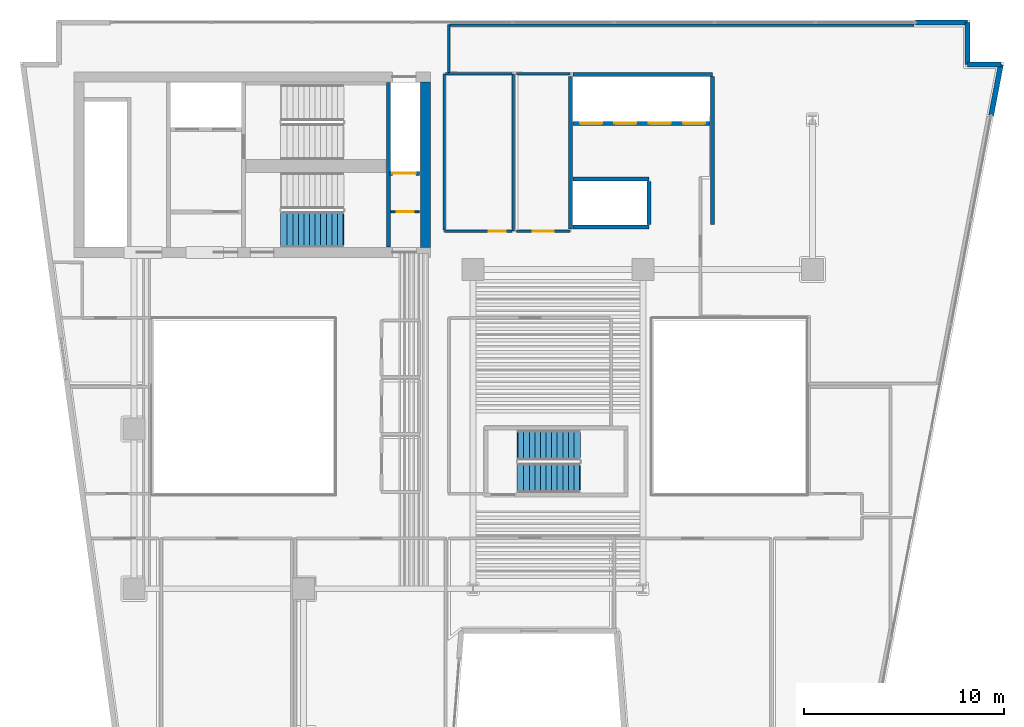
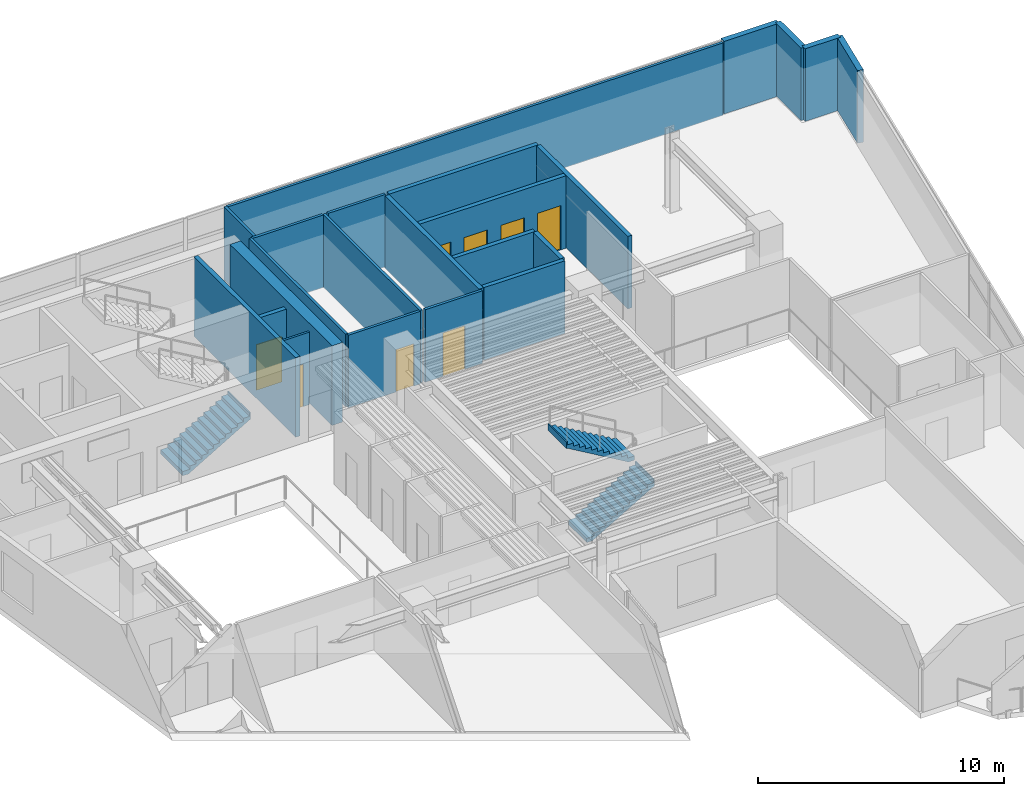
# One storey, part 9 of 14: 23 walls, 8 doors, 3 stair flights, 8 openings, 2 elements without a shape of their own.
"""IFC4 building model written with IfcOpenShell, lengths in metres."""

import ifcopenshell
import ifcopenshell.guid

model = None  # the IFC model being written
_history = None  # IfcOwnerHistory: only IFC2X3 demands one
_inside = {}  # id of a spatial element -> (the spatial element, [elements in it])
_under = {}  # id of a project, library or spatial element -> (it, [spatial elements below it])
_declared = {}  # id of a project -> (the project, [libraries it declares])
_typed = {}  # id of a type object -> (the type object, [elements of that type])
_made_of = {}  # id of a material, layer set ... -> (it, [elements and type objects made of it])


def new_model(schema):
    """Start an empty IFC model of exactly this schema.

    Asked for "IFC4X3", IfcOpenShell would pick the latest addendum, in which some entities
    have other attributes; the version numbers below select the first issue.
    IFC2X3 requires an IfcOwnerHistory on every rooted entity: one is made here for all.
    """
    global model, _history
    if schema == "IFC4X3":
        model = ifcopenshell.file(schema_version=(4, 3, 0, 0))
    else:
        model = ifcopenshell.file(schema=schema)
    _inside.clear()
    _under.clear()
    _declared.clear()
    _typed.clear()
    _made_of.clear()
    _history = None
    if model.schema == "IFC2X3":
        org = make("IfcOrganization", Name="unknown")
        user = make(
            "IfcPersonAndOrganization",
            ThePerson=make("IfcPerson", FamilyName="unknown"),
            TheOrganization=org,
        )
        app = make(
            "IfcApplication",
            ApplicationDeveloper=org,
            Version="unknown",
            ApplicationFullName="unknown",
            ApplicationIdentifier="unknown",
        )
        _history = make(
            "IfcOwnerHistory",
            OwningUser=user,
            OwningApplication=app,
            ChangeAction="ADDED",
            CreationDate=0,
        )
    return model


def make(cls, **values):
    """One entity of the class cls with the attributes given. An attribute that is None is left unset."""
    return model.create_entity(
        cls, **{name: value for name, value in values.items() if value is not None}
    )


def rooted(cls, **values):
    """An entity with a GlobalId (a new one), such as an element, a storey or a relation."""
    return make(cls, GlobalId=ifcopenshell.guid.new(), OwnerHistory=_history, **values)


def si_unit(unit_type, name, prefix=None):
    """IfcSIUnit, for example si_unit("LENGTHUNIT", "METRE", prefix="MILLI")."""
    return make("IfcSIUnit", UnitType=unit_type, Prefix=prefix, Name=name)


def assignment(units):
    """IfcUnitAssignment: the units of a project."""
    return None if units is None else make("IfcUnitAssignment", Units=units)


def point(xyz):
    """IfcCartesianPoint."""
    return None if xyz is None else make("IfcCartesianPoint", Coordinates=xyz)


def direction(xyz):
    """IfcDirection."""
    return None if xyz is None else make("IfcDirection", DirectionRatios=xyz)


def frame(location, z_axis=None, x_axis=None):
    """IfcAxis2Placement3D, a coordinate frame: its origin and axes. An axis left out is left unset."""
    return make(
        "IfcAxis2Placement3D",
        Location=point(location),
        Axis=direction(z_axis),
        RefDirection=direction(x_axis),
    )


def frame_2d(location, x_axis=None):
    """IfcAxis2Placement2D, a coordinate frame in the plane: its origin and x axis."""
    return make(
        "IfcAxis2Placement2D", Location=point(location), RefDirection=direction(x_axis)
    )


def origin():
    """The frame at (0, 0, 0) with its axes left unset."""
    return frame((0.0, 0.0, 0.0))


def place(relative_to, where):
    """IfcLocalPlacement: puts the frame where relative to a parent placement (None: the world)."""
    return make(
        "IfcLocalPlacement", PlacementRelTo=relative_to, RelativePlacement=where
    )


def context(
    kind, dimensions, precision=None, world=None, true_north=None, identifier=None
):
    """IfcGeometricRepresentationContext, for example the 3D "Model" context."""
    return make(
        "IfcGeometricRepresentationContext",
        ContextIdentifier=identifier,
        ContextType=kind,
        CoordinateSpaceDimension=dimensions,
        Precision=precision,
        WorldCoordinateSystem=world,
        TrueNorth=true_north,
    )


def subcontext(parent, identifier, kind, view, scale=None):
    """IfcGeometricRepresentationSubContext, for example "Body" below "Model"."""
    return make(
        "IfcGeometricRepresentationSubContext",
        ContextIdentifier=identifier,
        ContextType=kind,
        ParentContext=parent,
        TargetScale=scale,
        TargetView=view,
    )


def project(units=None, contexts=None):
    """IfcProject with its units and contexts."""
    return rooted(
        "IfcProject",
        Name="project",
        RepresentationContexts=contexts,
        UnitsInContext=assignment(units),
    )


def spatial(cls, under=None, at=None, **own):
    """A site, building, storey or space (cls), placed at a placement, below another one or the project."""
    s = rooted(cls, ObjectPlacement=at, **own)
    if under is not None:
        _under.setdefault(under.id(), (under, []))[1].append(s)
    return s


def polyline(points):
    """IfcPolyline through the points."""
    return make("IfcPolyline", Points=[point(p) for p in points])


def profile(cls, at=None, kind="AREA", **sizes):
    """A parametric profile (cls). Its sizes go by their IFC names, for example OverallWidth=200.0."""
    return make(cls, ProfileType=kind, Position=at, **sizes)


def rectangle(**sizes):
    """IfcRectangleProfileDef."""
    return profile("IfcRectangleProfileDef", **sizes)


def outline(outer, holes=None, kind="AREA"):
    """IfcArbitraryClosedProfileDef: a profile drawn as a closed curve; with holes, ...WithVoids."""
    if holes is None:
        return make("IfcArbitraryClosedProfileDef", ProfileType=kind, OuterCurve=outer)
    return make(
        "IfcArbitraryProfileDefWithVoids",
        ProfileType=kind,
        OuterCurve=outer,
        InnerCurves=holes,
    )


def extrude(swept, where, along, depth):
    """IfcExtrudedAreaSolid: the profile swept, set in the frame where, extruded along a direction by depth."""
    return make(
        "IfcExtrudedAreaSolid",
        SweptArea=swept,
        Position=where,
        ExtrudedDirection=direction(along),
        Depth=depth,
    )


def shape(context_of_items, identifier, shape_type, items):
    """IfcShapeRepresentation: the items that make up one representation, for example the "Body"."""
    return make(
        "IfcShapeRepresentation",
        ContextOfItems=context_of_items,
        RepresentationIdentifier=identifier,
        RepresentationType=shape_type,
        Items=items,
    )


def material(Name=None, Category=None):
    """IfcMaterial."""
    return make("IfcMaterial", Name=Name, Category=Category)


def layer(
    of_material, thickness, ventilated=None, Name=None, Category=None, Priority=None
):
    """IfcMaterialLayer: one layer of a wall or slab, of a material (None: an air gap)."""
    return make(
        "IfcMaterialLayer",
        Material=of_material,
        LayerThickness=thickness,
        IsVentilated=ventilated,
        Name=Name,
        Category=Category,
        Priority=Priority,
    )


def layer_set(layers, Name=None):
    """IfcMaterialLayerSet."""
    return make("IfcMaterialLayerSet", MaterialLayers=layers, LayerSetName=Name)


def made_of(thing, what):
    """Note that an element or type object is made of a material, layer set ...; save() writes the relation."""
    if what is not None:
        _made_of.setdefault(what.id(), (what, []))[1].append(thing)
    return thing


def type_object(cls, material=None, **own):
    """A type object (cls), such as IfcWallType, which elements share."""
    return made_of(rooted(cls, **own), material)


def element(
    cls,
    number,
    at=None,
    inside=None,
    cuts=None,
    type_object=None,
    material=None,
    context=None,
    identifier="Body",
    shape_type=None,
    held_by="IfcProductDefinitionShape",
    body=None,
    shapes=None,
    **own,
):
    """One element of the class cls, such as IfcWall. Its Tag is "e" and its number.

    at: its placement. inside: the storey or other place that contains it. cuts: it is an
    opening in that element (IfcRelVoidsElement). A single representation is given by context,
    identifier, shape_type and body (its items); several are given by shapes. held_by: the class
    of the entity that holds the representations. save() writes the other relations.
    """
    e = rooted(cls, Tag="e%d" % number, ObjectPlacement=at, **own)
    if body is not None:
        shapes = [shape(context, identifier, shape_type, body)]
    if shapes is not None:
        e.Representation = make(held_by, Representations=shapes)
    if inside is not None:
        _inside.setdefault(inside.id(), (inside, []))[1].append(e)
    if cuts is not None:
        rooted(
            "IfcRelVoidsElement", RelatingBuildingElement=cuts, RelatedOpeningElement=e
        )
    if type_object is not None:
        _typed.setdefault(type_object.id(), (type_object, []))[1].append(e)
    return made_of(e, material)


def fill(opening, filler):
    """IfcRelFillsElement: the door or window that sits in an opening."""
    return rooted(
        "IfcRelFillsElement",
        RelatingOpeningElement=opening,
        RelatedBuildingElement=filler,
    )


def aggregate(whole, parts):
    """IfcRelAggregates: a whole, such as a stair, and the parts it consists of."""
    return rooted("IfcRelAggregates", RelatingObject=whole, RelatedObjects=parts)


def save(model, path):
    """Write the relations noted so far, then the file.

    IfcRelAggregates (storeys below a building ...), IfcRelContainedInSpatialStructure (elements
    in a storey), IfcRelDefinesByType, IfcRelAssociatesMaterial and IfcRelDeclares: one each for
    every whole, place, type object, material and project.
    """
    for whole, parts in _under.values():
        aggregate(whole, parts)
    for where, things in _inside.values():
        rooted(
            "IfcRelContainedInSpatialStructure",
            RelatedElements=things,
            RelatingStructure=where,
        )
    for kind, things in _typed.values():
        rooted("IfcRelDefinesByType", RelatedObjects=things, RelatingType=kind)
    for what, things in _made_of.values():
        rooted("IfcRelAssociatesMaterial", RelatedObjects=things, RelatingMaterial=what)
    for by, libraries in _declared.values():
        rooted("IfcRelDeclares", RelatingContext=by, RelatedDefinitions=libraries)
    model.write(path)


model = new_model("IFC4")

# Units and contexts
model_context = context("Model", 3, precision=1e-05, world=origin(), true_north=direction((0.0, 1.0)))
body_context = subcontext(model_context, "Body", "Model", "MODEL_VIEW")
ifc_project = project(units=[si_unit("LENGTHUNIT", "METRE"), si_unit("AREAUNIT", "SQUARE_METRE"), si_unit("VOLUMEUNIT", "CUBIC_METRE"), si_unit("PLANEANGLEUNIT", "RADIAN"), si_unit("MASSUNIT", "GRAM", prefix="KILO")], contexts=[model_context])

# Site, building, storey
site_placement = place(None, origin())
site = spatial("IfcSite", under=ifc_project, at=site_placement, CompositionType="ELEMENT")
building_placement = place(site_placement, origin())
building = spatial("IfcBuilding", under=site, at=building_placement, Name="Caeloran Harvest Quay", CompositionType="ELEMENT")
storey_placement = place(building_placement, frame((0.0, 0.0, 174.60009765625)))
storey = spatial("IfcBuildingStorey", under=building, at=storey_placement, Name="L41", CompositionType="ELEMENT", Elevation=174.60009765625)

# Walls
ifc_material_1 = material(Name="Precast concrete C50/60", Category="concrete")
ifc_layer_1 = layer(ifc_material_1, 0.260009765625, Name="Precast concrete C50/60")
ifc_layer_set_1 = layer_set([ifc_layer_1], Name="Precast concrete C50/60")
wall_type_1 = type_object("IfcWallType", Name="ENV-WALL-EW-260", PredefinedType="STANDARD", material=ifc_layer_set_1)
wall_1_placement = place(storey_placement, frame((47.669921875, 43.3701171875, 0.0), z_axis=(0.0, 0.0, 1.0), x_axis=(1.0, 0.0, 0.0)))
element("IfcWall", 1, at=wall_1_placement, inside=storey, type_object=wall_type_1, Name="L41 Exterior Facade Corner Pier Wall 6B", PredefinedType="STANDARD", context=body_context, shape_type="SweptSolid", body=[
    extrude(rectangle(XDim=2.60009765625, YDim=0.260009765625, at=frame_2d((1.300048828125, 0.0))), origin(), (0.0, 0.0, 1.0), 3.599853515625),
])
wall_2_placement = place(storey_placement, frame((50.27001953125, 43.3701171875, 0.0), z_axis=(0.0, 0.0, 1.0), x_axis=(0.0, -1.0, 0.0)))
element("IfcWall", 2, at=wall_2_placement, inside=storey, type_object=wall_type_1, Name="L41 Exterior Precast Concrete Facade Wall 7", PredefinedType="STANDARD", context=body_context, shape_type="SweptSolid", body=[
    extrude(rectangle(XDim=2.10009765625, YDim=0.260009765625, at=frame_2d((1.050048828125, 0.0))), origin(), (0.0, 0.0, 1.0), 3.599853515625),
])
wall_3_placement = place(storey_placement, frame((50.27001953125, 41.27001953125, 0.0), z_axis=(0.0, 0.0, 1.0), x_axis=(1.0, 0.0, 0.0)))
element("IfcWall", 3, at=wall_3_placement, inside=storey, type_object=wall_type_1, Name="L41 Exterior Precast Concrete Facade Wall 8", PredefinedType="STANDARD", context=body_context, shape_type="SweptSolid", body=[
    extrude(rectangle(XDim=1.671875, YDim=0.260009765625, at=frame_2d((0.8359375, 0.0))), origin(), (0.0, 0.0, 1.0), 3.599853515625),
])
wall_4_placement = place(storey_placement, frame((51.94189453125, 41.27001953125, 0.0), z_axis=(0.0, 0.0, 1.0), x_axis=(-0.187621263149, -0.982241447718, 0.0)))
element("IfcWall", 4, at=wall_4_placement, inside=storey, type_object=wall_type_1, Name="L41 Exterior Facade Corner Pier Wall 9A", PredefinedType="STANDARD", context=body_context, shape_type="SweptSolid", body=[
    extrude(rectangle(XDim=2.599853515625, YDim=0.260009765625, at=frame_2d((1.2998046875, 0.0))), origin(), (0.0, 0.0, 1.0), 3.599853515625),
])

# Wall, opening, door
ifc_material_2 = material(Name="Fire-Resisting Gypsum Core Riser Partition", Category="gypsum")
ifc_layer_2 = layer(ifc_material_2, 0.10009765625, Name="Fire-Resisting Gypsum Core Riser Partition")
ifc_layer_set_2 = layer_set([ifc_layer_2], Name="Fire-Resisting Gypsum Core Riser Partition")
wall_type_2 = type_object("IfcWallType", Name="INT-WALL-PW-100", PredefinedType="PARTITIONING", material=ifc_layer_set_2)
wall_5_placement = place(storey_placement, frame((21.3798828125, 33.889892578125, 0.0), z_axis=(0.0, 0.0, 1.0), x_axis=(1.0, 0.0, 0.0)))
wall_5 = element("IfcWall", 5, at=wall_5_placement, inside=storey, type_object=wall_type_2, Name="L41 Cleaner Store Partition Wall", PredefinedType="PARTITIONING", context=body_context, shape_type="SweptSolid", body=[
    extrude(rectangle(XDim=1.420166015625, YDim=0.10009765625, at=frame_2d((0.7099609375, 0.0))), origin(), (0.0, 0.0, 1.0), 3.599853515625),
])
opening_1_placement = place(wall_5_placement, frame((0.280029296875, 0.0, 0.0)))
opening_1 = element("IfcOpeningElement", 6, at=opening_1_placement, cuts=wall_5, Name="Opening SV-01", PredefinedType="OPENING", context=body_context, shape_type="SweptSolid", body=[
    extrude(rectangle(XDim=0.85009765625, YDim=2.10009765625, at=frame_2d((0.425048828125, 1.050048828125))), frame((0.0, 0.06005859375, 0.0), z_axis=(0.0, -1.0, 0.0), x_axis=(1.0, 0.0, 0.0)), (0.0, 0.0, 1.0), 0.1201171875),
])
ifc_material_3 = material(Name="Galvanized Painted Steel", Category="steel")
door_type_1 = type_object("IfcDoorType", Name="INTDOOR-SV-01", OperationType="NOTDEFINED", PredefinedType="DOOR", material=ifc_material_3)
door_1_placement = place(opening_1_placement, origin())
door_1 = element("IfcDoor", 7, at=door_1_placement, inside=storey, type_object=door_type_1, Name="L41 Cleaner Supply Store Access Door", OperationType="SINGLE_SWING_RIGHT", OverallHeight=2.10009765625, OverallWidth=0.85009765625, PredefinedType="DOOR", context=body_context, shape_type="SweptSolid", body=[
    extrude(rectangle(XDim=0.85009765625, YDim=2.10009765625, at=frame_2d((0.425048828125, 1.050048828125))), frame((0.0, 0.02490234375, 0.0), z_axis=(0.0, -1.0, 0.0), x_axis=(1.0, 0.0, 0.0)), (0.0, 0.0, 1.0), 0.050048828125),
])
fill(opening_1, door_1)

# Wall
ifc_material_4 = material(Name="Twin-Stud Mineral-Wool Acoustic Gypsum Partition", Category="gypsum")
ifc_layer_3 = layer(ifc_material_4, 0.125, Name="Twin-Stud Mineral-Wool Acoustic Gypsum Partition")
ifc_layer_set_3 = layer_set([ifc_layer_3], Name="Twin-Stud Mineral-Wool Acoustic Gypsum Partition")
wall_type_3 = type_object("IfcWallType", Name="INT-WALL-PW-125", PredefinedType="PARTITIONING", material=ifc_layer_set_3)
wall_6_placement = place(storey_placement, frame((27.5, 40.800048828125, 0.0), z_axis=(0.0, 0.0, 1.0), x_axis=(0.0, -1.0, 0.0)))
element("IfcWall", 8, at=wall_6_placement, inside=storey, type_object=wall_type_3, Name="L41 Bioinformatics Briefing Lounge Partition Wall", PredefinedType="PARTITIONING", context=body_context, shape_type="SweptSolid", body=[
    extrude(rectangle(XDim=7.880126953125, YDim=0.125, at=frame_2d((3.93994140625, 0.0))), origin(), (0.0, 0.0, 1.0), 3.599853515625),
])

# Wall, opening, door
wall_7_placement = place(storey_placement, frame((27.4326171875, 32.919921875, 0.0), z_axis=(0.0, 0.0, 1.0), x_axis=(-1.0, 0.0, 0.0)))
wall_7 = element("IfcWall", 9, at=wall_7_placement, inside=storey, type_object=wall_type_3, Name="L41 Bioinformatics Briefing Lounge Partition Wall", PredefinedType="PARTITIONING", context=body_context, shape_type="SweptSolid", body=[
    extrude(rectangle(XDim=3.382568359375, YDim=0.125, at=frame_2d((1.69140625, 0.0))), origin(), (0.0, 0.0, 1.0), 3.599853515625),
])
opening_2_placement = place(wall_7_placement, frame((0.303466796875, 0.0, 0.0)))
opening_2 = element("IfcOpeningElement", 10, at=opening_2_placement, cuts=wall_7, Name="Opening SV-01", PredefinedType="OPENING", context=body_context, shape_type="SweptSolid", body=[
    extrude(rectangle(XDim=0.85009765625, YDim=2.10009765625, at=frame_2d((0.425048828125, 1.050048828125))), frame((0.0, 0.072509765625, 0.0), z_axis=(0.0, -1.0, 0.0), x_axis=(1.0, 0.0, 0.0)), (0.0, 0.0, 1.0), 0.14501953125),
])
door_2_placement = place(opening_2_placement, origin())
door_2 = element("IfcDoor", 11, at=door_2_placement, inside=storey, type_object=door_type_1, Name="L41 Bioinformatics Briefing Lounge Access Door", OperationType="SINGLE_SWING_LEFT", OverallHeight=2.10009765625, OverallWidth=0.85009765625, PredefinedType="DOOR", context=body_context, shape_type="SweptSolid", body=[
    extrude(rectangle(XDim=0.85009765625, YDim=2.10009765625, at=frame_2d((0.425048828125, 1.050048828125))), frame((0.0, 0.02490234375, 0.0), z_axis=(0.0, -1.0, 0.0), x_axis=(1.0, 0.0, 0.0)), (0.0, 0.0, 1.0), 0.050048828125),
])
fill(opening_2, door_2)

# Walls
wall_8_placement = place(storey_placement, frame((24.050048828125, 32.987548828125, 0.0), z_axis=(0.0, 0.0, 1.0), x_axis=(0.0, 1.0, 0.0)))
element("IfcWall", 12, at=wall_8_placement, inside=storey, type_object=wall_type_3, Name="L41 Bioinformatics Briefing Lounge Partition Wall", PredefinedType="PARTITIONING", context=body_context, shape_type="SweptSolid", body=[
    extrude(rectangle(XDim=7.8125, YDim=0.125, at=frame_2d((3.90625, 0.0))), origin(), (0.0, 0.0, 1.0), 3.599853515625),
])
wall_9_placement = place(storey_placement, frame((24.117431640625, 40.800048828125, 0.0), z_axis=(0.0, 0.0, 1.0), x_axis=(1.0, 0.0, 0.0)))
element("IfcWall", 13, at=wall_9_placement, inside=storey, type_object=wall_type_3, Name="L41 Bioinformatics Briefing Lounge Partition Wall", PredefinedType="PARTITIONING", context=body_context, shape_type="SweptSolid", body=[
    extrude(rectangle(XDim=3.315185546875, YDim=0.125, at=frame_2d((1.65771484375, 0.0))), origin(), (0.0, 0.0, 1.0), 3.599853515625),
])

# Wall, opening, door
wall_10_placement = place(storey_placement, frame((30.35009765625, 32.919921875, 0.0), z_axis=(0.0, 0.0, 1.0), x_axis=(-1.0, 0.0, 0.0)))
wall_10 = element("IfcWall", 14, at=wall_10_placement, inside=storey, type_object=wall_type_3, Name="L41 Seed Imaging Laboratory Partition Wall", PredefinedType="PARTITIONING", context=body_context, shape_type="SweptSolid", body=[
    extrude(rectangle(XDim=2.690185546875, YDim=0.125, at=frame_2d((1.34521484375, 0.0))), origin(), (0.0, 0.0, 1.0), 3.599853515625),
])
opening_3_placement = place(wall_10_placement, frame((0.820068359375, 0.0, 0.0)))
opening_3 = element("IfcOpeningElement", 15, at=opening_3_placement, cuts=wall_10, Name="Opening ID-03", PredefinedType="OPENING", context=body_context, shape_type="SweptSolid", body=[
    extrude(rectangle(XDim=1.050048828125, YDim=2.14990234375, at=frame_2d((0.52490234375, 1.074951171875))), frame((0.0, 0.072509765625, 0.0), z_axis=(0.0, -1.0, 0.0), x_axis=(1.0, 0.0, 0.0)), (0.0, 0.0, 1.0), 0.14501953125),
])
ifc_material_5 = material(Name="FSC Solid-Core Oak Timber Leaf", Category="wood")
door_type_2 = type_object("IfcDoorType", Name="INTDOOR-ID-03", OperationType="NOTDEFINED", PredefinedType="DOOR", material=ifc_material_5)
door_3_placement = place(opening_3_placement, origin())
door_3 = element("IfcDoor", 16, at=door_3_placement, inside=storey, type_object=door_type_2, Name="L41 Seed Imaging Laboratory Access Door", OperationType="SINGLE_SWING_RIGHT", OverallHeight=2.14990234375, OverallWidth=1.050048828125, PredefinedType="DOOR", context=body_context, shape_type="SweptSolid", body=[
    extrude(rectangle(XDim=1.050048828125, YDim=2.14990234375, at=frame_2d((0.52490234375, 1.074951171875))), frame((0.0, 0.02490234375, 0.0), z_axis=(0.0, -1.0, 0.0), x_axis=(1.0, 0.0, 0.0)), (0.0, 0.0, 1.0), 0.050048828125),
])
fill(opening_3, door_3)

# Walls
wall_11_placement = place(storey_placement, frame((27.659912109375, 40.800048828125, 0.0), z_axis=(0.0, 0.0, 1.0), x_axis=(1.0, 0.0, 0.0)))
element("IfcWall", 17, at=wall_11_placement, inside=storey, type_object=wall_type_3, Name="L41 Seed Imaging Laboratory Partition Wall", PredefinedType="PARTITIONING", context=body_context, shape_type="SweptSolid", body=[
    extrude(rectangle(XDim=2.690185546875, YDim=0.125, at=frame_2d((1.34521484375, 0.0))), origin(), (0.0, 0.0, 1.0), 3.599853515625),
])
wall_12_placement = place(storey_placement, frame((24.280029296875, 40.867431640625, 0.0), z_axis=(0.0, 0.0, 1.0), x_axis=(0.0, 1.0, 0.0)))
element("IfcWall", 18, at=wall_12_placement, inside=storey, type_object=wall_type_3, Name="Investor Dining Salon Lounge 11 Partition Wall", PredefinedType="PARTITIONING", context=body_context, shape_type="SweptSolid", body=[
    extrude(rectangle(XDim=2.3974609375, YDim=0.125, at=frame_2d((1.19873046875, 0.0))), origin(), (0.0, 0.0, 1.0), 3.599853515625),
])
wall_13_placement = place(storey_placement, frame((24.347412109375, 43.239990234375, 0.0), z_axis=(0.0, 0.0, 1.0), x_axis=(1.0, 0.0, 0.0)))
element("IfcWall", 19, at=wall_13_placement, inside=storey, type_object=wall_type_3, Name="Investor Dining Salon Lounge 11 Partition Wall", PredefinedType="PARTITIONING", context=body_context, shape_type="SweptSolid", body=[
    extrude(rectangle(XDim=23.248046875, YDim=0.125, at=frame_2d((11.6240234375, 0.0))), origin(), (0.0, 0.0, 1.0), 3.599853515625),
])

# Wall, opening, door
ifc_material_6 = material(Name="Concrete C50/60", Category="concrete")
ifc_layer_4 = layer(ifc_material_6, 0.199951171875, Name="Concrete C50/60")
ifc_layer_set_4 = layer_set([ifc_layer_4], Name="Concrete C50/60")
wall_type_4 = type_object("IfcWallType", Name="INT-WALL-SW-200", PredefinedType="PARTITIONING", material=ifc_layer_set_4)
wall_14_placement = place(storey_placement, frame((21.300048828125, 35.820068359375, 0.0), z_axis=(0.0, 0.0, 1.0), x_axis=(1.0, 0.0, 0.0)))
wall_14 = element("IfcWall", 20, at=wall_14_placement, inside=storey, type_object=wall_type_4, Name="L41 Service Lift SV-2 Shaft Wall", PredefinedType="PARTITIONING", context=body_context, shape_type="SweptSolid", body=[
    extrude(rectangle(XDim=1.5, YDim=0.199951171875, at=frame_2d((0.75, 0.0))), origin(), (0.0, 0.0, 1.0), 3.599853515625),
])
opening_4_placement = place(wall_14_placement, frame((0.14501953125, 0.0, 0.0)))
opening_4 = element("IfcOpeningElement", 21, at=opening_4_placement, cuts=wall_14, Name="Opening LD-02", PredefinedType="OPENING", context=body_context, shape_type="SweptSolid", body=[
    extrude(rectangle(XDim=1.179931640625, YDim=2.25, at=frame_2d((0.58984375, 1.125))), frame((0.0, 0.10986328125, 0.0), z_axis=(0.0, -1.0, 0.0), x_axis=(1.0, 0.0, 0.0)), (0.0, 0.0, 1.0), 0.219970703125),
])
ifc_material_7 = material(Name="Stainless Steel Grade 316", Category="steel")
door_type_3 = type_object("IfcDoorType", Name="INTDOOR-LD-02", OperationType="NOTDEFINED", PredefinedType="DOOR", material=ifc_material_7)
door_4_placement = place(opening_4_placement, origin())
door_4 = element("IfcDoor", 22, at=door_4_placement, inside=storey, type_object=door_type_3, Name="Lift SV-2 Sliding Landing Door (L41)", OperationType="DOUBLE_DOOR_SLIDING", OverallHeight=2.25, OverallWidth=1.179931640625, PredefinedType="DOOR", context=body_context, shape_type="SweptSolid", body=[
    extrude(rectangle(XDim=1.179931640625, YDim=2.25, at=frame_2d((0.58984375, 1.125))), frame((0.0, 0.02490234375, 0.0), z_axis=(0.0, -1.0, 0.0), x_axis=(1.0, 0.0, 0.0)), (0.0, 0.0, 1.0), 0.050048828125),
])
fill(opening_4, door_4)

# Walls
wall_15_placement = place(storey_placement, frame((30.3798828125, 33.02001953125, 0.0), z_axis=(0.0, 0.0, 1.0), x_axis=(0.0, 1.0, 0.0)))
element("IfcWall", 23, at=wall_15_placement, inside=storey, type_object=wall_type_4, Name="L41 Bank 2 and Shuttle Lift Shaft West Wall", PredefinedType="PARTITIONING", context=body_context, shape_type="SweptSolid", body=[
    extrude(rectangle(XDim=7.639892578125, YDim=0.199951171875, at=frame_2d((3.81982421875, 0.0))), origin(), (0.0, 0.0, 1.0), 3.599853515625),
])
wall_16_placement = place(storey_placement, frame((30.5, 40.780029296875, 0.0), z_axis=(0.0, 0.0, 1.0), x_axis=(1.0, 0.0, 0.0)))
element("IfcWall", 24, at=wall_16_placement, inside=storey, type_object=wall_type_4, Name="L41 Bank 2 Lift Shaft North Wall", PredefinedType="PARTITIONING", context=body_context, shape_type="SweptSolid", body=[
    extrude(rectangle(XDim=6.97998046875, YDim=0.199951171875, at=frame_2d((3.489990234375, 0.0))), origin(), (0.0, 0.0, 1.0), 3.599853515625),
])
wall_17_placement = place(storey_placement, frame((37.47998046875, 33.239990234375, 0.0), z_axis=(0.0, 0.0, 1.0), x_axis=(0.0, 1.0, 0.0)))
element("IfcWall", 25, at=wall_17_placement, inside=storey, type_object=wall_type_4, Name="L41 Bank 2 Lift Shaft East Wall", PredefinedType="PARTITIONING", context=body_context, shape_type="SweptSolid", body=[
    extrude(rectangle(XDim=7.419921875, YDim=0.199951171875, at=frame_2d((3.7099609375, 0.0))), origin(), (0.0, 0.0, 1.0), 3.599853515625),
])

# Wall, openings, doors
wall_18_placement = place(storey_placement, frame((30.5, 38.320068359375, 0.0), z_axis=(0.0, 0.0, 1.0), x_axis=(1.0, 0.0, 0.0)))
wall_18 = element("IfcWall", 26, at=wall_18_placement, inside=storey, type_object=wall_type_4, Name="L41 Bank 2 Lift Landing Front Wall", PredefinedType="PARTITIONING", context=body_context, shape_type="SweptSolid", body=[
    extrude(rectangle(XDim=6.860107421875, YDim=0.199951171875, at=frame_2d((3.43017578125, 0.0))), origin(), (0.0, 0.0, 1.0), 3.599853515625),
])
opening_5_placement = place(wall_18_placement, frame((0.360107421875, 0.0, 0.0)))
opening_5 = element("IfcOpeningElement", 27, at=opening_5_placement, cuts=wall_18, Name="Opening LD-01", PredefinedType="OPENING", context=body_context, shape_type="SweptSolid", body=[
    extrude(rectangle(XDim=1.10009765625, YDim=2.199951171875, at=frame_2d((0.550048828125, 1.10009765625))), frame((0.0, 0.10986328125, 0.0), z_axis=(0.0, -1.0, 0.0), x_axis=(1.0, 0.0, 0.0)), (0.0, 0.0, 1.0), 0.219970703125),
])
opening_6_placement = place(wall_18_placement, frame((2.080078125, 0.0, 0.0)))
opening_6 = element("IfcOpeningElement", 28, at=opening_6_placement, cuts=wall_18, Name="Opening LD-01", PredefinedType="OPENING", context=body_context, shape_type="SweptSolid", body=[
    extrude(rectangle(XDim=1.10009765625, YDim=2.199951171875, at=frame_2d((0.550048828125, 1.10009765625))), frame((0.0, 0.10986328125, 0.0), z_axis=(0.0, -1.0, 0.0), x_axis=(1.0, 0.0, 0.0)), (0.0, 0.0, 1.0), 0.219970703125),
])
opening_7_placement = place(wall_18_placement, frame((3.800048828125, 0.0, 0.0)))
opening_7 = element("IfcOpeningElement", 29, at=opening_7_placement, cuts=wall_18, Name="Opening LD-01", PredefinedType="OPENING", context=body_context, shape_type="SweptSolid", body=[
    extrude(rectangle(XDim=1.10009765625, YDim=2.199951171875, at=frame_2d((0.550048828125, 1.10009765625))), frame((0.0, 0.10986328125, 0.0), z_axis=(0.0, -1.0, 0.0), x_axis=(1.0, 0.0, 0.0)), (0.0, 0.0, 1.0), 0.219970703125),
])
opening_8_placement = place(wall_18_placement, frame((5.52001953125, 0.0, 0.0)))
opening_8 = element("IfcOpeningElement", 30, at=opening_8_placement, cuts=wall_18, Name="Opening LD-01", PredefinedType="OPENING", context=body_context, shape_type="SweptSolid", body=[
    extrude(rectangle(XDim=1.10009765625, YDim=2.199951171875, at=frame_2d((0.550048828125, 1.10009765625))), frame((0.0, 0.10986328125, 0.0), z_axis=(0.0, -1.0, 0.0), x_axis=(1.0, 0.0, 0.0)), (0.0, 0.0, 1.0), 0.219970703125),
])
door_type_4 = type_object("IfcDoorType", Name="INTDOOR-LD-01", OperationType="NOTDEFINED", PredefinedType="DOOR", material=ifc_material_7)
door_5_placement = place(opening_5_placement, origin())
door_5 = element("IfcDoor", 31, at=door_5_placement, inside=storey, type_object=door_type_4, Name="Lift P2-1 Sliding Landing Door (L41)", OperationType="DOUBLE_DOOR_SLIDING", OverallHeight=2.199951171875, OverallWidth=1.10009765625, PredefinedType="DOOR", context=body_context, shape_type="SweptSolid", body=[
    extrude(rectangle(XDim=1.10009765625, YDim=2.199951171875, at=frame_2d((0.550048828125, 1.10009765625))), frame((0.0, 0.02490234375, 0.0), z_axis=(0.0, -1.0, 0.0), x_axis=(1.0, 0.0, 0.0)), (0.0, 0.0, 1.0), 0.050048828125),
])
fill(opening_5, door_5)
door_6_placement = place(opening_6_placement, origin())
door_6 = element("IfcDoor", 32, at=door_6_placement, inside=storey, type_object=door_type_4, Name="Lift P2-2 Sliding Landing Door (L41)", OperationType="DOUBLE_DOOR_SLIDING", OverallHeight=2.199951171875, OverallWidth=1.10009765625, PredefinedType="DOOR", context=body_context, shape_type="SweptSolid", body=[
    extrude(rectangle(XDim=1.10009765625, YDim=2.199951171875, at=frame_2d((0.550048828125, 1.10009765625))), frame((0.0, 0.02490234375, 0.0), z_axis=(0.0, -1.0, 0.0), x_axis=(1.0, 0.0, 0.0)), (0.0, 0.0, 1.0), 0.050048828125),
])
fill(opening_6, door_6)
door_7_placement = place(opening_7_placement, origin())
door_7 = element("IfcDoor", 33, at=door_7_placement, inside=storey, type_object=door_type_4, Name="Lift P2-3 Sliding Landing Door (L41)", OperationType="DOUBLE_DOOR_SLIDING", OverallHeight=2.199951171875, OverallWidth=1.10009765625, PredefinedType="DOOR", context=body_context, shape_type="SweptSolid", body=[
    extrude(rectangle(XDim=1.10009765625, YDim=2.199951171875, at=frame_2d((0.550048828125, 1.10009765625))), frame((0.0, 0.02490234375, 0.0), z_axis=(0.0, -1.0, 0.0), x_axis=(1.0, 0.0, 0.0)), (0.0, 0.0, 1.0), 0.050048828125),
])
fill(opening_7, door_7)
door_8_placement = place(opening_8_placement, origin())
door_8 = element("IfcDoor", 34, at=door_8_placement, inside=storey, type_object=door_type_4, Name="Lift P2-4 Sliding Landing Door (L41)", OperationType="DOUBLE_DOOR_SLIDING", OverallHeight=2.199951171875, OverallWidth=1.10009765625, PredefinedType="DOOR", context=body_context, shape_type="SweptSolid", body=[
    extrude(rectangle(XDim=1.10009765625, YDim=2.199951171875, at=frame_2d((0.550048828125, 1.10009765625))), frame((0.0, 0.02490234375, 0.0), z_axis=(0.0, -1.0, 0.0), x_axis=(1.0, 0.0, 0.0)), (0.0, 0.0, 1.0), 0.050048828125),
])
fill(opening_8, door_8)

# Walls
for number, where, z_axis, x_axis, name in (
    (35, (30.5, 35.530029296875, 0.0), (0.0, 0.0, 1.0), (1.0, 0.0, 0.0), "L41 Shuttle Lift Landing Front Wall"),
    (36, (30.5, 33.1201171875, 0.0), (0.0, 0.0, 1.0), (1.0, 0.0, 0.0), "L41 Shuttle Lift Shaft South Wall"),
):
    element("IfcWall", number, at=place(storey_placement, frame(where, z_axis=z_axis, x_axis=x_axis)), inside=storey, type_object=wall_type_4, Name=name, PredefinedType="PARTITIONING", context=body_context, shape_type="SweptSolid", body=[
        extrude(rectangle(XDim=3.800048828125, YDim=0.199951171875, at=frame_2d((1.89990234375, 0.0))), origin(), (0.0, 0.0, 1.0), 3.599853515625),
    ])
wall_19_placement = place(storey_placement, frame((34.300048828125, 33.239990234375, 0.0), z_axis=(0.0, 0.0, 1.0), x_axis=(0.0, 1.0, 0.0)))
element("IfcWall", 37, at=wall_19_placement, inside=storey, type_object=wall_type_4, Name="L41 Shuttle Lift Shaft East Wall", PredefinedType="PARTITIONING", context=body_context, shape_type="SweptSolid", body=[
    extrude(rectangle(XDim=2.169921875, YDim=0.199951171875, at=frame_2d((1.0849609375, 0.0))), origin(), (0.0, 0.0, 1.0), 3.599853515625),
])
ifc_material_8 = material(Name="Concrete C70/85", Category="concrete")
ifc_layer_5 = layer(ifc_material_8, 0.5, Name="Concrete C70/85")
ifc_layer_set_5 = layer_set([ifc_layer_5], Name="Concrete C70/85")
wall_type_5 = type_object("IfcWallType", Name="STR-WALL-CW-500", PredefinedType="SHEAR", material=ifc_layer_set_5)
wall_20_placement = place(storey_placement, frame((23.10009765625, 32.10009765625, 0.0), z_axis=(0.0, 0.0, 1.0), x_axis=(0.0, 1.0, 0.0)))
element("IfcWall", 38, at=wall_20_placement, inside=storey, type_object=wall_type_5, Name="L41 Rear Core Shear Wall E", PredefinedType="SHEAR", context=body_context, shape_type="SweptSolid", body=[
    extrude(rectangle(XDim=8.2998046875, YDim=0.5, at=frame_2d((4.14990234375, 0.0))), origin(), (0.0, 0.0, 1.0), 3.949951171875),
])
ifc_material_9 = material(Name="Concrete C60/75", Category="concrete")
ifc_layer_6 = layer(ifc_material_9, 0.199951171875, Name="Concrete C60/75")
ifc_layer_set_6 = layer_set([ifc_layer_6], Name="Concrete C60/75")
wall_type_6 = type_object("IfcWallType", Name="STR-WALL-SW-200", PredefinedType="SHEAR", material=ifc_layer_set_6)
wall_21_placement = place(storey_placement, frame((21.25, 32.1201171875, 0.0), z_axis=(0.0, 0.0, 1.0), x_axis=(0.0, 1.0, 0.0)))
element("IfcWall", 39, at=wall_21_placement, inside=storey, type_object=wall_type_6, Name="L41 Core Stair Shaft East Shear Wall", PredefinedType="SHEAR", context=body_context, shape_type="SweptSolid", body=[
    extrude(rectangle(XDim=8.259765625, YDim=0.199951171875, at=frame_2d((4.1298828125, 0.0))), origin(), (0.0, 0.0, 1.0), 3.949951171875),
])

# Stair, stair flight
stair_type_1 = type_object("IfcStairType", Name="STAIR-STC-180", PredefinedType="HALF_TURN_STAIR", material=ifc_material_6)
stair_1_placement = place(storey_placement, origin())
stair_1 = element("IfcStair", 40, at=stair_1_placement, inside=storey, type_object=stair_type_1, Name="L41 Core Pressurized Exit Stair ST-C2", PredefinedType="HALF_TURN_STAIR")
stair_flight_type_1 = type_object("IfcStairFlightType", Name="FLIGHT-STC-180", PredefinedType="STRAIGHT", material=ifc_material_6)
stair_flight_1_placement = place(storey_placement, frame((15.89990234375, 33.0, 0.0), z_axis=(0.0, 0.0, 1.0), x_axis=(1.0, 0.0, 0.0)))
stair_flight_1 = element("IfcStairFlight", 41, at=stair_flight_1_placement, type_object=stair_flight_type_1, Name="ST-C2 flight 1", NumberOfRisers=12, NumberOfTreads=11, PredefinedType="STRAIGHT", RiserHeight=0.164583333, TreadLength=0.28, context=body_context, shape_type="SweptSolid", body=[
    extrude(outline(polyline([(-0.054931640625, -0.044921875), (-0.054931640625, -0.031982421875), (-0.054931640625, -0.018798828125), (-0.054931640625, -0.005615234375), (-0.054931640625, 0.00732421875), (-0.054931640625, 0.0205078125), (-0.054931640625, 0.03369140625), (-0.054931640625, 0.046630859375), (-0.054931640625, 0.059814453125), (-0.054931640625, 0.072998046875), (-0.054931640625, 0.0859375), (-0.054931640625, 0.09912109375), (-0.054931640625, 0.1123046875), (-0.054931640625, 0.125244140625), (-0.054931640625, 0.138427734375), (-0.054931640625, 0.1513671875), (-0.054931640625, 0.16455078125), (0.280029296875, 0.16455078125), (0.280029296875, 0.3291015625), (0.56005859375, 0.3291015625), (0.56005859375, 0.49365234375), (0.840087890625, 0.49365234375), (0.840087890625, 0.658447265625), (1.1201171875, 0.658447265625), (1.1201171875, 0.822998046875), (1.39990234375, 0.822998046875), (1.39990234375, 0.987548828125), (1.679931640625, 0.987548828125), (1.679931640625, 1.152099609375), (1.9599609375, 1.152099609375), (1.9599609375, 1.316650390625), (2.239990234375, 1.316650390625), (2.239990234375, 1.481201171875), (2.52001953125, 1.481201171875), (2.52001953125, 1.645751953125), (2.800048828125, 1.645751953125), (2.800048828125, 1.810302734375), (3.080078125, 1.810302734375), (3.080078125, 1.97509765625), (3.135009765625, 1.97509765625), (3.135009765625, 1.953857421875), (3.135009765625, 1.9326171875), (3.135009765625, 1.91162109375), (3.135009765625, 1.890380859375), (3.135009765625, 1.869140625), (3.135009765625, 1.84814453125), (3.135009765625, 1.826904296875), (3.135009765625, 1.8056640625), (3.135009765625, 1.78466796875), (3.135009765625, 1.763427734375), (3.135009765625, 1.7421875), (3.135009765625, 1.72119140625), (3.135009765625, 1.699951171875), (3.135009765625, 1.678955078125), (3.135009765625, 1.65771484375), (3.135009765625, 1.636474609375), (3.080078125, 1.636474609375), (0.21923828125, -0.044921875), (-0.054931640625, -0.044921875)])), frame((0.0, 0.89990234375, 0.0), z_axis=(0.0, -1.0, 0.0), x_axis=(1.0, 0.0, 0.0)), (0.0, 0.0, 1.0), 1.800048828125),
])
aggregate(stair_1, [stair_flight_1])

# Stair, stair flights
stair_type_2 = type_object("IfcStairType", Name="STAIR-STW-150", PredefinedType="HALF_TURN_STAIR", material=ifc_material_6)
stair_2_placement = place(storey_placement, origin())
stair_2 = element("IfcStair", 42, at=stair_2_placement, inside=storey, type_object=stair_type_2, Name="L41 East Wing Protected Exit Stair ST-W1", PredefinedType="HALF_TURN_STAIR")
stair_flight_type_2 = type_object("IfcStairFlightType", Name="FLIGHT-STW-150", PredefinedType="STRAIGHT", material=ifc_material_6)
stair_flight_2_placement = place(storey_placement, frame((27.75, 20.550048828125, 0.0), z_axis=(0.0, 0.0, 1.0), x_axis=(1.0, 0.0, 0.0)))
stair_flight_2 = element("IfcStairFlight", 43, at=stair_flight_2_placement, type_object=stair_flight_type_2, Name="ST-W1 flight 1", NumberOfRisers=12, NumberOfTreads=11, PredefinedType="STRAIGHT", RiserHeight=0.164583333, TreadLength=0.28, context=body_context, shape_type="SweptSolid", body=[
    extrude(outline(polyline([(-0.054931640625, -0.044921875), (-0.054931640625, -0.031982421875), (-0.054931640625, -0.018798828125), (-0.054931640625, -0.005615234375), (-0.054931640625, 0.00732421875), (-0.054931640625, 0.0205078125), (-0.054931640625, 0.03369140625), (-0.054931640625, 0.046630859375), (-0.054931640625, 0.059814453125), (-0.054931640625, 0.072998046875), (-0.054931640625, 0.0859375), (-0.054931640625, 0.09912109375), (-0.054931640625, 0.1123046875), (-0.054931640625, 0.125244140625), (-0.054931640625, 0.138427734375), (-0.054931640625, 0.1513671875), (-0.054931640625, 0.16455078125), (0.280029296875, 0.16455078125), (0.280029296875, 0.3291015625), (0.56005859375, 0.3291015625), (0.56005859375, 0.49365234375), (0.840087890625, 0.49365234375), (0.840087890625, 0.658447265625), (1.1201171875, 0.658447265625), (1.1201171875, 0.822998046875), (1.39990234375, 0.822998046875), (1.39990234375, 0.987548828125), (1.679931640625, 0.987548828125), (1.679931640625, 1.152099609375), (1.9599609375, 1.152099609375), (1.9599609375, 1.316650390625), (2.239990234375, 1.316650390625), (2.239990234375, 1.481201171875), (2.52001953125, 1.481201171875), (2.52001953125, 1.645751953125), (2.800048828125, 1.645751953125), (2.800048828125, 1.810302734375), (3.080078125, 1.810302734375), (3.080078125, 1.97509765625), (3.135009765625, 1.97509765625), (3.135009765625, 1.953857421875), (3.135009765625, 1.9326171875), (3.135009765625, 1.91162109375), (3.135009765625, 1.890380859375), (3.135009765625, 1.869140625), (3.135009765625, 1.84814453125), (3.135009765625, 1.826904296875), (3.135009765625, 1.8056640625), (3.135009765625, 1.78466796875), (3.135009765625, 1.763427734375), (3.135009765625, 1.7421875), (3.135009765625, 1.72119140625), (3.135009765625, 1.699951171875), (3.135009765625, 1.678955078125), (3.135009765625, 1.65771484375), (3.135009765625, 1.636474609375), (3.080078125, 1.636474609375), (0.21923828125, -0.044921875), (-0.054931640625, -0.044921875)])), frame((0.0, 0.75, 0.0), z_axis=(0.0, -1.0, 0.0), x_axis=(1.0, 0.0, 0.0)), (0.0, 0.0, 1.0), 1.5),
])
stair_flight_3_placement = place(storey_placement, frame((30.830078125, 22.199951171875, 1.974853515625), z_axis=(0.0, 0.0, 1.0), x_axis=(-1.0, 0.0, 0.0)))
stair_flight_3 = element("IfcStairFlight", 44, at=stair_flight_3_placement, type_object=stair_flight_type_2, Name="ST-W1 flight 2", NumberOfRisers=12, NumberOfTreads=11, PredefinedType="STRAIGHT", RiserHeight=0.164583333, TreadLength=0.28, context=body_context, shape_type="SweptSolid", body=[
    extrude(outline(polyline([(-0.054931640625, -0.044921875), (-0.054931640625, -0.031982421875), (-0.054931640625, -0.018798828125), (-0.054931640625, -0.005615234375), (-0.054931640625, 0.00732421875), (-0.054931640625, 0.0205078125), (-0.054931640625, 0.03369140625), (-0.054931640625, 0.046630859375), (-0.054931640625, 0.059814453125), (-0.054931640625, 0.072998046875), (-0.054931640625, 0.0859375), (-0.054931640625, 0.09912109375), (-0.054931640625, 0.1123046875), (-0.054931640625, 0.125244140625), (-0.054931640625, 0.138427734375), (-0.054931640625, 0.1513671875), (-0.054931640625, 0.16455078125), (0.280029296875, 0.16455078125), (0.280029296875, 0.3291015625), (0.56005859375, 0.3291015625), (0.56005859375, 0.49365234375), (0.840087890625, 0.49365234375), (0.840087890625, 0.658447265625), (1.1201171875, 0.658447265625), (1.1201171875, 0.822998046875), (1.39990234375, 0.822998046875), (1.39990234375, 0.987548828125), (1.679931640625, 0.987548828125), (1.679931640625, 1.152099609375), (1.9599609375, 1.152099609375), (1.9599609375, 1.316650390625), (2.239990234375, 1.316650390625), (2.239990234375, 1.481201171875), (2.52001953125, 1.481201171875), (2.52001953125, 1.645751953125), (2.800048828125, 1.645751953125), (2.800048828125, 1.810302734375), (3.080078125, 1.810302734375), (3.080078125, 1.97509765625), (3.135009765625, 1.97509765625), (3.135009765625, 1.953857421875), (3.135009765625, 1.9326171875), (3.135009765625, 1.91162109375), (3.135009765625, 1.890380859375), (3.135009765625, 1.869140625), (3.135009765625, 1.84814453125), (3.135009765625, 1.826904296875), (3.135009765625, 1.8056640625), (3.135009765625, 1.78466796875), (3.135009765625, 1.763427734375), (3.135009765625, 1.7421875), (3.135009765625, 1.72119140625), (3.135009765625, 1.699951171875), (3.135009765625, 1.678955078125), (3.135009765625, 1.65771484375), (3.135009765625, 1.636474609375), (3.080078125, 1.636474609375), (0.21923828125, -0.044921875), (-0.054931640625, -0.044921875)])), frame((0.0, 0.75, 0.0), z_axis=(0.0, -1.0, 0.0), x_axis=(1.0, 0.0, 0.0)), (0.0, 0.0, 1.0), 1.5),
])
aggregate(stair_2, [stair_flight_2, stair_flight_3])

save(model, "model.ifc")
